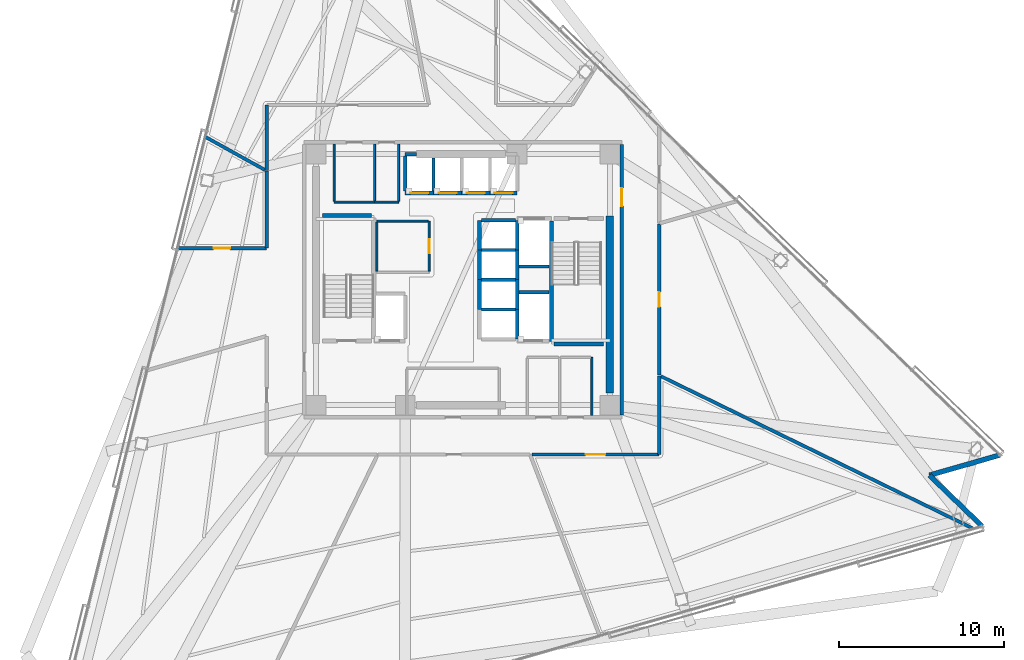
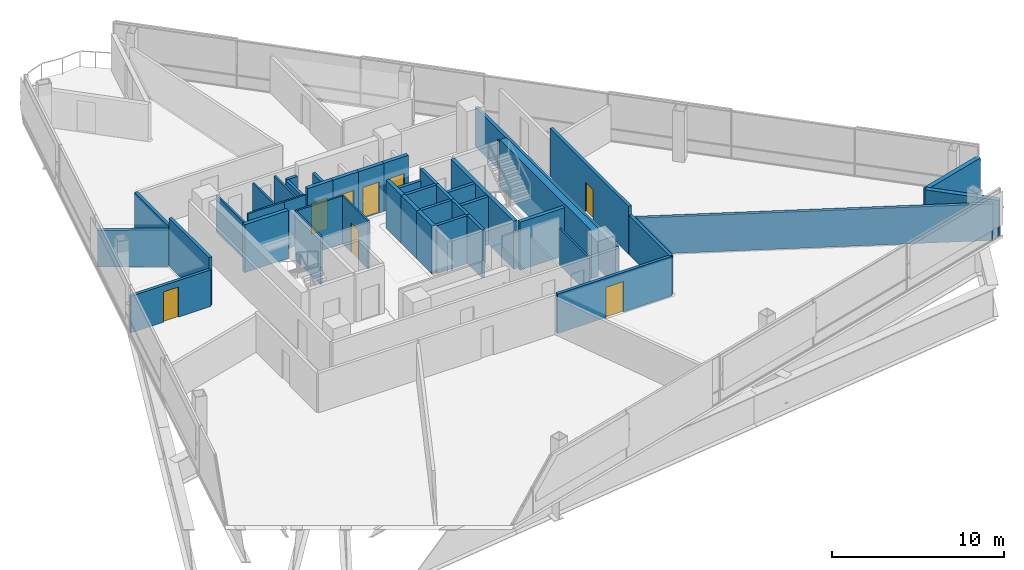
# One storey, part 12 of 21: 44 walls, 9 doors, 9 openings.
"""IFC4 building model written with IfcOpenShell, lengths in metres."""

from ifc_helpers import new_model, si_unit, direction, frame, frame_2d, origin, place, context, subcontext, project, spatial, rectangle, extrude, material, layer, layer_set, type_object, element, fill, save


model = new_model("IFC4")

# Units and contexts
model_context = context("Model", 3, precision=1e-05, world=origin(), true_north=direction((0.0, 1.0)))
body_context = subcontext(model_context, "Body", "Model", "MODEL_VIEW")
ifc_project = project(units=[si_unit("LENGTHUNIT", "METRE"), si_unit("AREAUNIT", "SQUARE_METRE"), si_unit("VOLUMEUNIT", "CUBIC_METRE"), si_unit("PLANEANGLEUNIT", "RADIAN"), si_unit("MASSUNIT", "GRAM", prefix="KILO")], contexts=[model_context])

# Site, building, storey
site_placement = place(None, origin())
site = spatial("IfcSite", under=ifc_project, at=site_placement, CompositionType="ELEMENT")
building_placement = place(site_placement, origin())
building = spatial("IfcBuilding", under=site, at=building_placement, Name="Tharavind Bronze Gate", CompositionType="ELEMENT")
storey_placement = place(building_placement, frame((0.0, 0.0, 86.10009765625)))
storey = spatial("IfcBuildingStorey", under=building, at=storey_placement, Name="L21", CompositionType="ELEMENT", Elevation=86.10009765625)

# Walls
ifc_material_1 = material(Name="Concrete C40/50", Category="concrete")
ifc_layer_1 = layer(ifc_material_1, 0.300048828125)
ifc_layer_set_1 = layer_set([ifc_layer_1], Name="Concrete C40/50")
wall_type_1 = type_object("IfcWallType", Name="EXTERIOR SPANDREL WALL 300", PredefinedType="STANDARD", material=ifc_layer_set_1)
wall_1_placement = place(storey_placement, frame((31.438720703125, -14.926513671875, 0.0), z_axis=(0.0, 0.0, 1.0), x_axis=(-0.719317126864, 0.694681848763, 0.0)))
element("IfcWall", 1, at=wall_1_placement, inside=storey, type_object=wall_type_1, Name="L21 notch cheek wall 3A", PredefinedType="STANDARD", context=body_context, shape_type="SweptSolid", body=[
    extrude(rectangle(XDim=4.439697265625, YDim=0.300048828125, at=frame_2d((2.2197265625, 0.0))), origin(), (0.0, 0.0, 1.0), 2.60498046875),
])
wall_2_placement = place(storey_placement, frame((28.2451171875, -11.84228515625, 0.0), z_axis=(0.0, 0.0, 1.0), x_axis=(0.961255810825, 0.275657878821, 0.0)))
element("IfcWall", 2, at=wall_2_placement, inside=storey, type_object=wall_type_1, Name="L21 notch cheek wall 3B", PredefinedType="STANDARD", context=body_context, shape_type="SweptSolid", body=[
    extrude(rectangle(XDim=4.43994140625, YDim=0.300048828125, at=frame_2d((2.219970703125, 0.0))), origin(), (0.0, 0.0, 1.0), 2.60498046875),
])

# Wall, opening, door
ifc_material_2 = material(Name="Aerated Concrete Block", Category="concrete")
ifc_layer_2 = layer(ifc_material_2, 0.199951171875)
ifc_layer_set_2 = layer_set([ifc_layer_2], Name="Aerated Concrete Block")
wall_type_2 = type_object("IfcWallType", Name="FIRE RATED PARTITION 200", PredefinedType="PARTITIONING", material=ifc_layer_set_2)
wall_3_placement = place(storey_placement, frame((9.6201171875, -8.199951171875, 0.0), z_axis=(0.0, 0.0, 1.0), x_axis=(0.0, 1.0, 0.0)))
wall_3 = element("IfcWall", 3, at=wall_3_placement, inside=storey, type_object=wall_type_2, Name="L21 east core corridor wall", PredefinedType="PARTITIONING", context=body_context, shape_type="SweptSolid", body=[
    extrude(rectangle(XDim=16.39990234375, YDim=0.199951171875, at=frame_2d((8.199951171875, 0.0))), origin(), (0.0, 0.0, 1.0), 2.804931640625),
])
opening_1_placement = place(wall_3_placement, frame((12.64990234375, 0.0, 0.0)))
opening_1 = element("IfcOpeningElement", 4, at=opening_1_placement, cuts=wall_3, Name="Opening ID01", PredefinedType="OPENING", context=body_context, shape_type="SweptSolid", body=[
    extrude(rectangle(XDim=1.10009765625, YDim=2.14990234375, at=frame_2d((0.550048828125, 1.074951171875))), frame((0.0, 0.11009765625, 0.0), z_axis=(0.0, -1.0, 0.0), x_axis=(1.0, 0.0, 0.0)), (0.0, 0.0, 1.0), 0.219951171875),
])
ifc_material_3 = material(Name="Fire-Rated Steel", Category="steel")
door_type_1 = type_object("IfcDoorType", Name="STAIR CORE FIRE DOOR 1100X2150", OperationType="SINGLE_SWING_LEFT", PredefinedType="DOOR", material=ifc_material_3)
door_1_placement = place(opening_1_placement, frame((1.10009765625, 0.0, 0.0), z_axis=(0.0, 0.0, 1.0), x_axis=(-1.0, 0.0, 0.0)))
door_1 = element("IfcDoor", 5, at=door_1_placement, inside=storey, type_object=door_type_1, Name="L21 north east stair lobby fire door", OperationType="SINGLE_SWING_LEFT", OverallHeight=2.14990234375, OverallWidth=1.10009765625, PredefinedType="DOOR", context=body_context, shape_type="SweptSolid", body=[
    extrude(rectangle(XDim=1.10009765625, YDim=2.14990234375, at=frame_2d((0.550048828125, 1.074951171875))), frame((0.0, 0.02490234375, 0.0), z_axis=(0.0, -1.0, 0.0), x_axis=(1.0, 0.0, 0.0)), (0.0, 0.0, 1.0), 0.050048828125),
])
fill(opening_1, door_1)

# Walls
wall_4_placement = place(storey_placement, frame((-11.8798828125, 10.579345703125, 0.0), z_axis=(0.0, 0.0, 1.0), x_axis=(0.0, -1.0, 0.0)))
element("IfcWall", 6, at=wall_4_placement, inside=storey, type_object=wall_type_2, Name="L21 Boardroom partition", PredefinedType="PARTITIONING", context=body_context, shape_type="SweptSolid", body=[
    extrude(rectangle(XDim=3.95166015625, YDim=0.199951171875, at=frame_2d((1.975830078125, 0.0))), origin(), (0.0, 0.0, 1.0), 2.804931640625),
])
wall_5_placement = place(storey_placement, frame((-11.985107421875, 6.643310546875, 0.0), z_axis=(0.0, 0.0, 1.0), x_axis=(-0.874606418312, 0.484833593151, 0.0)))
element("IfcWall", 7, at=wall_5_placement, inside=storey, type_object=wall_type_2, Name="L21 Boardroom partition", PredefinedType="PARTITIONING", context=body_context, shape_type="SweptSolid", body=[
    extrude(rectangle(XDim=4.12451171875, YDim=0.199951171875, at=frame_2d((2.062255859375, 0.0))), origin(), (0.0, 0.0, 1.0), 2.60498046875),
])
wall_6_placement = place(storey_placement, frame((-11.8798828125, 6.570556640625, 0.0), z_axis=(0.0, 0.0, 1.0), x_axis=(0.0, -1.0, 0.0)))
element("IfcWall", 8, at=wall_6_placement, inside=storey, type_object=wall_type_2, Name="L21 Open Office Workplace West partition", PredefinedType="PARTITIONING", context=body_context, shape_type="SweptSolid", body=[
    extrude(rectangle(XDim=4.6455078125, YDim=0.199951171875, at=frame_2d((2.32275390625, 0.0))), origin(), (0.0, 0.0, 1.0), 3.409912109375),
])

# Wall, opening, door
wall_7_placement = place(storey_placement, frame((-11.905029296875, 1.89990234375, 0.0), z_axis=(0.0, 0.0, 1.0), x_axis=(-1.0, 0.0, 0.0)))
wall_7 = element("IfcWall", 9, at=wall_7_placement, inside=storey, type_object=wall_type_2, Name="L21 Open Office Workplace West partition", PredefinedType="PARTITIONING", context=body_context, shape_type="SweptSolid", body=[
    extrude(rectangle(XDim=5.3876953125, YDim=0.199951171875, at=frame_2d((2.69384765625, 0.0))), origin(), (0.0, 0.0, 1.0), 2.60498046875),
])
opening_2_placement = place(wall_7_placement, frame((2.194091796875, 0.0, 0.0)))
opening_2 = element("IfcOpeningElement", 10, at=opening_2_placement, cuts=wall_7, Name="Opening ID04", PredefinedType="OPENING", context=body_context, shape_type="SweptSolid", body=[
    extrude(rectangle(XDim=1.0, YDim=2.14990234375, at=frame_2d((0.5, 1.074951171875))), frame((0.0, 0.11009765625, 0.0), z_axis=(0.0, -1.0, 0.0), x_axis=(1.0, 0.0, 0.0)), (0.0, 0.0, 1.0), 0.219951171875),
])
ifc_material_4 = material(Name="Bronze Framed Acoustic Timber", Category="wood")
door_type_2 = type_object("IfcDoorType", Name="OFFICE TENANCY DOOR 1000X2150", OperationType="SINGLE_SWING_RIGHT", PredefinedType="DOOR", material=ifc_material_4)
door_2_placement = place(opening_2_placement, origin())
door_2 = element("IfcDoor", 11, at=door_2_placement, inside=storey, type_object=door_type_2, Name="L21 Open Office Workplace West door", OperationType="SINGLE_SWING_RIGHT", OverallHeight=2.14990234375, OverallWidth=1.0, PredefinedType="DOOR", context=body_context, shape_type="SweptSolid", body=[
    extrude(rectangle(XDim=1.0, YDim=2.14990234375, at=frame_2d((0.5, 1.074951171875))), frame((0.0, 0.02490234375, 0.0), z_axis=(0.0, -1.0, 0.0), x_axis=(1.0, 0.0, 0.0)), (0.0, 0.0, 1.0), 0.050048828125),
])
fill(opening_2, door_2)

wall_8_placement = place(storey_placement, frame((4.173583984375, -10.580078125, 0.0), z_axis=(0.0, 0.0, 1.0), x_axis=(1.0, 0.0, 0.0)))
wall_8 = element("IfcWall", 12, at=wall_8_placement, inside=storey, type_object=wall_type_2, Name="L21 Client Briefing Room partition", PredefinedType="PARTITIONING", context=body_context, shape_type="SweptSolid", body=[
    extrude(rectangle(XDim=7.705810546875, YDim=0.199951171875, at=frame_2d((3.85302734375, 0.0))), origin(), (0.0, 0.0, 1.0), 2.804931640625),
])
opening_3_placement = place(wall_8_placement, frame((3.2529296875, 0.0, 0.0)))
opening_3 = element("IfcOpeningElement", 13, at=opening_3_placement, cuts=wall_8, Name="Opening ID05", PredefinedType="OPENING", context=body_context, shape_type="SweptSolid", body=[
    extrude(rectangle(XDim=1.199951171875, YDim=2.14990234375, at=frame_2d((0.60009765625, 1.074951171875))), frame((0.0, 0.11009765625, 0.0), z_axis=(0.0, -1.0, 0.0), x_axis=(1.0, 0.0, 0.0)), (0.0, 0.0, 1.0), 0.219951171875),
])
ifc_material_5 = material(Name="Acoustic Laminated Glass", Category="glass")
door_type_3 = type_object("IfcDoorType", Name="MEETING ROOM GLAZED DOOR 1200X2150", OperationType="SINGLE_SWING_LEFT", PredefinedType="DOOR", material=ifc_material_5)
door_3_placement = place(opening_3_placement, origin())
door_3 = element("IfcDoor", 14, at=door_3_placement, inside=storey, type_object=door_type_3, Name="L21 Client Briefing Room door", OperationType="SINGLE_SWING_LEFT", OverallHeight=2.14990234375, OverallWidth=1.199951171875, PredefinedType="DOOR", context=body_context, shape_type="SweptSolid", body=[
    extrude(rectangle(XDim=1.199951171875, YDim=2.14990234375, at=frame_2d((0.60009765625, 1.074951171875))), frame((0.0, 0.02490234375, 0.0), z_axis=(0.0, -1.0, 0.0), x_axis=(1.0, 0.0, 0.0)), (0.0, 0.0, 1.0), 0.050048828125),
])
fill(opening_3, door_3)

# Walls
wall_9_placement = place(storey_placement, frame((11.8798828125, -10.579345703125, 0.0), z_axis=(0.0, 0.0, 1.0), x_axis=(0.0, 1.0, 0.0)))
element("IfcWall", 15, at=wall_9_placement, inside=storey, type_object=wall_type_2, Name="L21 Client Briefing Room partition", PredefinedType="PARTITIONING", context=body_context, shape_type="SweptSolid", body=[
    extrude(rectangle(XDim=4.7451171875, YDim=0.199951171875, at=frame_2d((2.37255859375, 0.0))), origin(), (0.0, 0.0, 1.0), 2.804931640625),
])
wall_10_placement = place(storey_placement, frame((11.985107421875, -5.845458984375, 0.0), z_axis=(0.0, 0.0, 1.0), x_axis=(0.898791396377, -0.438376579894, 0.0)))
element("IfcWall", 16, at=wall_10_placement, inside=storey, type_object=wall_type_2, Name="L21 Client Briefing Room partition", PredefinedType="PARTITIONING", context=body_context, shape_type="SweptSolid", body=[
    extrude(rectangle(XDim=21.059326171875, YDim=0.199951171875, at=frame_2d((10.52978515625, 0.0))), origin(), (0.0, 0.0, 1.0), 2.60498046875),
])

# Wall, opening, door
wall_11_placement = place(storey_placement, frame((11.8798828125, -5.778564453125, 0.0), z_axis=(0.0, 0.0, 1.0), x_axis=(0.0, 1.0, 0.0)))
wall_11 = element("IfcWall", 17, at=wall_11_placement, inside=storey, type_object=wall_type_2, Name="L21 Tea Pantry partition", PredefinedType="PARTITIONING", context=body_context, shape_type="SweptSolid", body=[
    extrude(rectangle(XDim=9.166259765625, YDim=0.199951171875, at=frame_2d((4.5830078125, 0.0))), origin(), (0.0, 0.0, 1.0), 3.409912109375),
])
opening_4_placement = place(wall_11_placement, frame((4.133056640625, 0.0, 0.0)))
opening_4 = element("IfcOpeningElement", 18, at=opening_4_placement, cuts=wall_11, Name="Opening ID07", PredefinedType="OPENING", context=body_context, shape_type="SweptSolid", body=[
    extrude(rectangle(XDim=0.89990234375, YDim=2.10009765625, at=frame_2d((0.449951171875, 1.050048828125))), frame((0.0, 0.11009765625, 0.0), z_axis=(0.0, -1.0, 0.0), x_axis=(1.0, 0.0, 0.0)), (0.0, 0.0, 1.0), 0.219951171875),
])
ifc_material_6 = material(Name="Galvanised Fire Steel", Category="steel")
door_type_4 = type_object("IfcDoorType", Name="PLANT AND RISER FIRE DOOR 900X2100", OperationType="SINGLE_SWING_LEFT", PredefinedType="DOOR", material=ifc_material_6)
door_4_placement = place(opening_4_placement, origin())
door_4 = element("IfcDoor", 19, at=door_4_placement, inside=storey, type_object=door_type_4, Name="L21 Tea Pantry door", OperationType="SINGLE_SWING_LEFT", OverallHeight=2.10009765625, OverallWidth=0.89990234375, PredefinedType="DOOR", context=body_context, shape_type="SweptSolid", body=[
    extrude(rectangle(XDim=0.89990234375, YDim=2.10009765625, at=frame_2d((0.449951171875, 1.050048828125))), frame((0.0, 0.02490234375, 0.0), z_axis=(0.0, -1.0, 0.0), x_axis=(1.0, 0.0, 0.0)), (0.0, 0.0, 1.0), 0.050048828125),
])
fill(opening_4, door_4)

ifc_material_7 = material(Name="Metal Stud Gypsum Partition", Category="gypsum")
ifc_layer_3 = layer(ifc_material_7, 0.1201171875)
ifc_layer_set_3 = layer_set([ifc_layer_3], Name="Metal Stud Gypsum Partition")
wall_type_3 = type_object("IfcWallType", Name="INTERIOR PARTITION WALL 120", PredefinedType="PARTITIONING", material=ifc_layer_set_3)
wall_12_placement = place(storey_placement, frame((-2.050048828125, 0.514892578125, 0.0), z_axis=(0.0, 0.0, 1.0), x_axis=(0.0, 1.0, 0.0)))
wall_12 = element("IfcWall", 20, at=wall_12_placement, inside=storey, type_object=wall_type_3, Name="L21 Electrical & Telecom Store partition 2", PredefinedType="PARTITIONING", context=body_context, shape_type="SweptSolid", body=[
    extrude(rectangle(XDim=3.03515625, YDim=0.1201171875, at=frame_2d((1.517578125, 0.0))), origin(), (0.0, 0.0, 1.0), 3.409912109375),
])
opening_5_placement = place(wall_12_placement, frame((1.092041015625, 0.0, 0.0)))
opening_5 = element("IfcOpeningElement", 21, at=opening_5_placement, cuts=wall_12, Name="Opening ID06", PredefinedType="OPENING", context=body_context, shape_type="SweptSolid", body=[
    extrude(rectangle(XDim=0.85009765625, YDim=2.10009765625, at=frame_2d((0.425048828125, 1.050048828125))), frame((0.0, 0.07005859375, 0.0), z_axis=(0.0, -1.0, 0.0), x_axis=(1.0, 0.0, 0.0)), (0.0, 0.0, 1.0), 0.1401171875),
])
ifc_material_8 = material(Name="Moisture-Resistant Timber", Category="wood")
door_type_5 = type_object("IfcDoorType", Name="BATHROOM PRIVACY DOOR 850X2100", OperationType="SINGLE_SWING_RIGHT", PredefinedType="DOOR", material=ifc_material_8)
door_5_placement = place(opening_5_placement, frame((0.85009765625, 0.0, 0.0), z_axis=(0.0, 0.0, 1.0), x_axis=(-1.0, 0.0, 0.0)))
door_5 = element("IfcDoor", 22, at=door_5_placement, inside=storey, type_object=door_type_5, Name="L21 Electrical & Telecom Store door", OperationType="SINGLE_SWING_RIGHT", OverallHeight=2.10009765625, OverallWidth=0.85009765625, PredefinedType="DOOR", context=body_context, shape_type="SweptSolid", body=[
    extrude(rectangle(XDim=0.85009765625, YDim=2.10009765625, at=frame_2d((0.425048828125, 1.050048828125))), frame((0.0, 0.02490234375, 0.0), z_axis=(0.0, -1.0, 0.0), x_axis=(1.0, 0.0, 0.0)), (0.0, 0.0, 1.0), 0.050048828125),
])
fill(opening_5, door_5)

# Walls
wall_13_placement = place(storey_placement, frame((-2.114990234375, 3.550048828125, 0.0), z_axis=(0.0, 0.0, 1.0), x_axis=(-1.0, 0.0, 0.0)))
element("IfcWall", 23, at=wall_13_placement, inside=storey, type_object=wall_type_3, Name="L21 Electrical & Telecom Store partition 3", PredefinedType="PARTITIONING", context=body_context, shape_type="SweptSolid", body=[
    extrude(rectangle(XDim=3.10498046875, YDim=0.1201171875, at=frame_2d((1.552490234375, 0.0))), origin(), (0.0, 0.0, 1.0), 3.409912109375),
])
wall_14_placement = place(storey_placement, frame((-5.219970703125, 3.485107421875, 0.0), z_axis=(0.0, 0.0, 1.0), x_axis=(0.0, -1.0, 0.0)))
element("IfcWall", 24, at=wall_14_placement, inside=storey, type_object=wall_type_3, Name="L21 Electrical & Telecom Store partition 4", PredefinedType="PARTITIONING", context=body_context, shape_type="SweptSolid", body=[
    extrude(rectangle(XDim=2.97021484375, YDim=0.1201171875, at=frame_2d((1.485107421875, 0.0))), origin(), (0.0, 0.0, 1.0), 3.409912109375),
])
wall_15_placement = place(storey_placement, frame((-7.800048828125, 4.699951171875, 0.0), z_axis=(0.0, 0.0, 1.0), x_axis=(1.0, 0.0, 0.0)))
element("IfcWall", 25, at=wall_15_placement, inside=storey, type_object=wall_type_3, Name="L21 Electrical Metering Room partition 1", PredefinedType="PARTITIONING", context=body_context, shape_type="SweptSolid", body=[
    extrude(rectangle(XDim=2.449951171875, YDim=0.1201171875, at=frame_2d((1.22509765625, 0.0))), origin(), (0.0, 0.0, 1.0), 3.409912109375),
])
for number, where, z_axis, x_axis, name in (
    (26, (-5.35009765625, 4.764892578125, 0.0), (0.0, 0.0, 1.0), (0.0, 1.0, 0.0), "L21 Electrical Metering Room partition 2"),
    (27, (-7.800048828125, 8.215087890625, 0.0), (0.0, 0.0, 1.0), (0.0, -1.0, 0.0), "L21 Electrical Metering Room partition 4"),
):
    element("IfcWall", number, at=place(storey_placement, frame(where, z_axis=z_axis, x_axis=x_axis)), inside=storey, type_object=wall_type_3, Name=name, PredefinedType="PARTITIONING", context=body_context, shape_type="SweptSolid", body=[
        extrude(rectangle(XDim=3.4501953125, YDim=0.1201171875, at=frame_2d((1.72509765625, 0.0))), origin(), (0.0, 0.0, 1.0), 2.60498046875),
    ])
wall_16_placement = place(storey_placement, frame((-5.35009765625, 4.699951171875, 0.0), z_axis=(0.0, 0.0, 1.0), x_axis=(1.0, 0.0, 0.0)))
element("IfcWall", 28, at=wall_16_placement, inside=storey, type_object=wall_type_3, Name="L21 Linen Cupboard partition 1", PredefinedType="PARTITIONING", context=body_context, shape_type="SweptSolid", body=[
    extrude(rectangle(XDim=1.4501953125, YDim=0.1201171875, at=frame_2d((0.72509765625, 0.0))), origin(), (0.0, 0.0, 1.0), 3.409912109375),
])
wall_17_placement = place(storey_placement, frame((-3.89990234375, 4.764892578125, 0.0), z_axis=(0.0, 0.0, 1.0), x_axis=(0.0, 1.0, 0.0)))
element("IfcWall", 29, at=wall_17_placement, inside=storey, type_object=wall_type_3, Name="L21 Linen Cupboard partition 2", PredefinedType="PARTITIONING", context=body_context, shape_type="SweptSolid", body=[
    extrude(rectangle(XDim=3.4501953125, YDim=0.1201171875, at=frame_2d((1.72509765625, 0.0))), origin(), (0.0, 0.0, 1.0), 2.60498046875),
])
wall_18_placement = place(storey_placement, frame((7.800048828125, -8.215087890625, 0.0), z_axis=(0.0, 0.0, 1.0), x_axis=(0.0, 1.0, 0.0)))
element("IfcWall", 30, at=wall_18_placement, inside=storey, type_object=wall_type_3, Name="L21 Housekeeping Store partition 2", PredefinedType="PARTITIONING", context=body_context, shape_type="SweptSolid", body=[
    extrude(rectangle(XDim=3.51513671875, YDim=0.1201171875, at=frame_2d((1.757568359375, 0.0))), origin(), (0.0, 0.0, 1.0), 2.60498046875),
])
ifc_material_9 = material(Name="Concrete C50/60", Category="concrete")
ifc_layer_4 = layer(ifc_material_9, 0.25)
ifc_layer_set_4 = layer_set([ifc_layer_4], Name="Concrete C50/60")
wall_type_4 = type_object("IfcWallType", Name="RC CORE SHEAR WALL 250", PredefinedType="SHEAR", material=ifc_layer_set_4)
wall_19_placement = place(storey_placement, frame((-8.5, 3.89990234375, 0.0), z_axis=(0.0, 0.0, 1.0), x_axis=(1.0, 0.0, 0.0)))
element("IfcWall", 31, at=wall_19_placement, inside=storey, type_object=wall_type_4, Name="L21 ST1 shaft north wall", PredefinedType="SHEAR", context=body_context, shape_type="SweptSolid", body=[
    extrude(rectangle(XDim=2.949951171875, YDim=0.25, at=frame_2d((1.47509765625, 0.0))), origin(), (0.0, 0.0, 1.0), 3.409912109375),
])
wall_20_placement = place(storey_placement, frame((5.35009765625, -3.75, 0.0), z_axis=(0.0, 0.0, 1.0), x_axis=(0.0, 1.0, 0.0)))
element("IfcWall", 32, at=wall_20_placement, inside=storey, type_object=wall_type_4, Name="L21 ST2 shaft west wall", PredefinedType="SHEAR", context=body_context, shape_type="SweptSolid", body=[
    extrude(rectangle(XDim=7.300048828125, YDim=0.25, at=frame_2d((3.64990234375, 0.0))), origin(), (0.0, 0.0, 1.0), 3.409912109375),
])
wall_21_placement = place(storey_placement, frame((5.5, -3.89990234375, 0.0), z_axis=(0.0, 0.0, 1.0), x_axis=(1.0, 0.0, 0.0)))
element("IfcWall", 33, at=wall_21_placement, inside=storey, type_object=wall_type_4, Name="L21 ST2 shaft south wall", PredefinedType="SHEAR", context=body_context, shape_type="SweptSolid", body=[
    extrude(rectangle(XDim=3.0, YDim=0.25, at=frame_2d((1.5, 0.0))), origin(), (0.0, 0.0, 1.0), 3.409912109375),
])

# Wall, opening, door
wall_22_placement = place(storey_placement, frame((-3.5, 5.25, 0.0), z_axis=(0.0, 0.0, 1.0), x_axis=(1.0, 0.0, 0.0)))
wall_22 = element("IfcWall", 34, at=wall_22_placement, inside=storey, type_object=wall_type_4, Name="L21 lift PL5 shaft front wall", PredefinedType="SHEAR", context=body_context, shape_type="SweptSolid", body=[
    extrude(rectangle(XDim=1.71240234375, YDim=0.25, at=frame_2d((0.856201171875, 0.0))), origin(), (0.0, 0.0, 1.0), 3.409912109375),
])
opening_6_placement = place(wall_22_placement, frame((0.305908203125, 0.0, 0.0)))
opening_6 = element("IfcOpeningElement", 35, at=opening_6_placement, cuts=wall_22, Name="Opening LD01", PredefinedType="OPENING", context=body_context, shape_type="SweptSolid", body=[
    extrude(rectangle(XDim=1.10009765625, YDim=2.199951171875, at=frame_2d((0.550048828125, 1.10009765625))), frame((0.0, 0.135, 0.0), z_axis=(0.0, -1.0, 0.0), x_axis=(1.0, 0.0, 0.0)), (0.0, 0.0, 1.0), 0.27),
])
ifc_material_10 = material(Name="Brushed Bronze Stainless Steel", Category="steel")
door_type_6 = type_object("IfcDoorType", Name="LIFT LANDING SLIDING DOOR 1100X2200", OperationType="SLIDING_TO_LEFT", PredefinedType="DOOR", material=ifc_material_10)
door_6_placement = place(opening_6_placement, origin())
door_6 = element("IfcDoor", 36, at=door_6_placement, inside=storey, type_object=door_type_6, Name="L21 lift PL5 sliding landing door", OperationType="SLIDING_TO_LEFT", OverallHeight=2.199951171875, OverallWidth=1.10009765625, PredefinedType="DOOR", context=body_context, shape_type="SweptSolid", body=[
    extrude(rectangle(XDim=1.10009765625, YDim=2.199951171875, at=frame_2d((0.550048828125, 1.10009765625))), frame((0.0, 0.02490234375, 0.0), z_axis=(0.0, -1.0, 0.0), x_axis=(1.0, 0.0, 0.0)), (0.0, 0.0, 1.0), 0.050048828125),
])
fill(opening_6, door_6)

wall_23_placement = place(storey_placement, frame((-1.78759765625, 5.25, 0.0), z_axis=(0.0, 0.0, 1.0), x_axis=(1.0, 0.0, 0.0)))
wall_23 = element("IfcWall", 37, at=wall_23_placement, inside=storey, type_object=wall_type_4, Name="L21 lift PL6 shaft front wall", PredefinedType="SHEAR", context=body_context, shape_type="SweptSolid", body=[
    extrude(rectangle(XDim=1.712646484375, YDim=0.25, at=frame_2d((0.8564453125, 0.0))), origin(), (0.0, 0.0, 1.0), 3.409912109375),
])
opening_7_placement = place(wall_23_placement, frame((0.305908203125, 0.0, 0.0)))
opening_7 = element("IfcOpeningElement", 38, at=opening_7_placement, cuts=wall_23, Name="Opening LD01", PredefinedType="OPENING", context=body_context, shape_type="SweptSolid", body=[
    extrude(rectangle(XDim=1.10009765625, YDim=2.199951171875, at=frame_2d((0.550048828125, 1.10009765625))), frame((0.0, 0.135, 0.0), z_axis=(0.0, -1.0, 0.0), x_axis=(1.0, 0.0, 0.0)), (0.0, 0.0, 1.0), 0.27),
])
door_7_placement = place(opening_7_placement, origin())
door_7 = element("IfcDoor", 39, at=door_7_placement, inside=storey, type_object=door_type_6, Name="L21 lift PL6 sliding landing door", OperationType="SLIDING_TO_LEFT", OverallHeight=2.199951171875, OverallWidth=1.10009765625, PredefinedType="DOOR", context=body_context, shape_type="SweptSolid", body=[
    extrude(rectangle(XDim=1.10009765625, YDim=2.199951171875, at=frame_2d((0.550048828125, 1.10009765625))), frame((0.0, 0.02490234375, 0.0), z_axis=(0.0, -1.0, 0.0), x_axis=(1.0, 0.0, 0.0)), (0.0, 0.0, 1.0), 0.050048828125),
])
fill(opening_7, door_7)

wall_24_placement = place(storey_placement, frame((-0.074951171875, 5.25, 0.0), z_axis=(0.0, 0.0, 1.0), x_axis=(1.0, 0.0, 0.0)))
wall_24 = element("IfcWall", 40, at=wall_24_placement, inside=storey, type_object=wall_type_4, Name="L21 lift PL7 shaft front wall", PredefinedType="SHEAR", context=body_context, shape_type="SweptSolid", body=[
    extrude(rectangle(XDim=1.71240234375, YDim=0.25, at=frame_2d((0.856201171875, 0.0))), origin(), (0.0, 0.0, 1.0), 3.409912109375),
])
opening_8_placement = place(wall_24_placement, frame((0.305908203125, 0.0, 0.0)))
opening_8 = element("IfcOpeningElement", 41, at=opening_8_placement, cuts=wall_24, Name="Opening LD01", PredefinedType="OPENING", context=body_context, shape_type="SweptSolid", body=[
    extrude(rectangle(XDim=1.10009765625, YDim=2.199951171875, at=frame_2d((0.550048828125, 1.10009765625))), frame((0.0, 0.135, 0.0), z_axis=(0.0, -1.0, 0.0), x_axis=(1.0, 0.0, 0.0)), (0.0, 0.0, 1.0), 0.27),
])
door_8_placement = place(opening_8_placement, origin())
door_8 = element("IfcDoor", 42, at=door_8_placement, inside=storey, type_object=door_type_6, Name="L21 lift PL7 sliding landing door", OperationType="SLIDING_TO_LEFT", OverallHeight=2.199951171875, OverallWidth=1.10009765625, PredefinedType="DOOR", context=body_context, shape_type="SweptSolid", body=[
    extrude(rectangle(XDim=1.10009765625, YDim=2.199951171875, at=frame_2d((0.550048828125, 1.10009765625))), frame((0.0, 0.02490234375, 0.0), z_axis=(0.0, -1.0, 0.0), x_axis=(1.0, 0.0, 0.0)), (0.0, 0.0, 1.0), 0.050048828125),
])
fill(opening_8, door_8)

wall_25_placement = place(storey_placement, frame((1.637451171875, 5.25, 0.0), z_axis=(0.0, 0.0, 1.0), x_axis=(1.0, 0.0, 0.0)))
wall_25 = element("IfcWall", 43, at=wall_25_placement, inside=storey, type_object=wall_type_4, Name="L21 lift PL8 shaft front wall", PredefinedType="SHEAR", context=body_context, shape_type="SweptSolid", body=[
    extrude(rectangle(XDim=1.642578125, YDim=0.25, at=frame_2d((0.8212890625, 0.0))), origin(), (0.0, 0.0, 1.0), 3.409912109375),
])
opening_9_placement = place(wall_25_placement, frame((0.27099609375, 0.0, 0.0)))
opening_9 = element("IfcOpeningElement", 44, at=opening_9_placement, cuts=wall_25, Name="Opening LD01", PredefinedType="OPENING", context=body_context, shape_type="SweptSolid", body=[
    extrude(rectangle(XDim=1.10009765625, YDim=2.199951171875, at=frame_2d((0.550048828125, 1.10009765625))), frame((0.0, 0.135, 0.0), z_axis=(0.0, -1.0, 0.0), x_axis=(1.0, 0.0, 0.0)), (0.0, 0.0, 1.0), 0.27),
])
door_9_placement = place(opening_9_placement, origin())
door_9 = element("IfcDoor", 45, at=door_9_placement, inside=storey, type_object=door_type_6, Name="L21 lift PL8 sliding landing door", OperationType="SLIDING_TO_LEFT", OverallHeight=2.199951171875, OverallWidth=1.10009765625, PredefinedType="DOOR", context=body_context, shape_type="SweptSolid", body=[
    extrude(rectangle(XDim=1.10009765625, YDim=2.199951171875, at=frame_2d((0.550048828125, 1.10009765625))), frame((0.0, 0.02490234375, 0.0), z_axis=(0.0, -1.0, 0.0), x_axis=(1.0, 0.0, 0.0)), (0.0, 0.0, 1.0), 0.050048828125),
])
fill(opening_9, door_9)

# Walls
for number, where, z_axis, x_axis, name in (
    (46, (1.0, -1.800048828125, 0.0), (0.0, 0.0, 1.0), (0.0, 1.0, 0.0), "L21 lift PL10 shaft front wall"),
    (47, (1.0, 0.0, 0.0), (0.0, 0.0, 1.0), (0.0, 1.0, 0.0), "L21 lift PL11 shaft front wall"),
    (48, (1.0, 1.800048828125, 0.0), (0.0, 0.0, 1.0), (0.0, 1.0, 0.0), "L21 lift PL12 shaft front wall"),
):
    element("IfcWall", number, at=place(storey_placement, frame(where, z_axis=z_axis, x_axis=x_axis)), inside=storey, type_object=wall_type_4, Name=name, PredefinedType="SHEAR", context=body_context, shape_type="SweptSolid", body=[
        extrude(rectangle(XDim=1.800048828125, YDim=0.25, at=frame_2d((0.89990234375, 0.0))), origin(), (0.0, 0.0, 1.0), 3.409912109375),
    ])
ifc_material_11 = material(Name="Concrete C60/75", Category="concrete")
ifc_layer_5 = layer(ifc_material_11, 0.449951171875)
ifc_layer_set_5 = layer_set([ifc_layer_5], Name="Concrete C60/75")
wall_type_5 = type_object("IfcWallType", Name="RC CORE SHEAR WALL 450", PredefinedType="SHEAR", material=ifc_layer_set_5)
wall_26_placement = place(storey_placement, frame((8.89990234375, -6.85009765625, 0.0), z_axis=(0.0, 0.0, 1.0), x_axis=(0.0, 1.0, 0.0)))
element("IfcWall", 49, at=wall_26_placement, inside=storey, type_object=wall_type_5, Name="L21 east core shear wall", PredefinedType="SHEAR", context=body_context, shape_type="SweptSolid", body=[
    extrude(rectangle(XDim=10.7001953125, YDim=0.449951171875, at=frame_2d((5.35009765625, 0.0))), origin(), (0.0, 0.0, 1.0), 3.409912109375),
])
ifc_layer_6 = layer(ifc_material_1, 0.199951171875)
ifc_layer_set_6 = layer_set([ifc_layer_6], Name="Concrete C40/50")
wall_type_6 = type_object("IfcWallType", Name="SHAFT ENCLOSURE WALL 200", PredefinedType="PARTITIONING", material=ifc_layer_set_6)
wall_27_placement = place(storey_placement, frame((-3.5, 7.60009765625, 0.0), z_axis=(0.0, 0.0, 1.0), x_axis=(1.0, 0.0, 0.0)))
element("IfcWall", 50, at=wall_27_placement, inside=storey, type_object=wall_type_6, Name="L21 lift PL5 shaft N enclosure wall", PredefinedType="PARTITIONING", context=body_context, shape_type="SweptSolid", body=[
    extrude(rectangle(XDim=0.699951171875, YDim=0.199951171875, at=frame_2d((0.35009765625, 0.0))), origin(), (0.0, 0.0, 1.0), 2.60498046875),
])
wall_28_placement = place(storey_placement, frame((-3.5, 5.3798828125, 0.0), z_axis=(0.0, 0.0, 1.0), x_axis=(0.0, 1.0, 0.0)))
element("IfcWall", 51, at=wall_28_placement, inside=storey, type_object=wall_type_6, Name="L21 lift PL5 shaft W enclosure wall", PredefinedType="PARTITIONING", context=body_context, shape_type="SweptSolid", body=[
    extrude(rectangle(XDim=2.115234375, YDim=0.199951171875, at=frame_2d((1.0576171875, 0.0))), origin(), (0.0, 0.0, 1.0), 2.60498046875),
])
wall_29_placement = place(storey_placement, frame((-1.78759765625, 5.3798828125, 0.0), z_axis=(0.0, 0.0, 1.0), x_axis=(0.0, 1.0, 0.0)))
element("IfcWall", 52, at=wall_29_placement, inside=storey, type_object=wall_type_6, Name="L21 lift PL5 shaft E enclosure wall", PredefinedType="PARTITIONING", context=body_context, shape_type="SweptSolid", body=[
    extrude(rectangle(XDim=1.990234375, YDim=0.199951171875, at=frame_2d((0.9951171875, 0.0))), origin(), (0.0, 0.0, 1.0), 2.60498046875),
])
wall_30_placement = place(storey_placement, frame((3.280029296875, -3.60009765625, 0.0), z_axis=(0.0, 0.0, 1.0), x_axis=(0.0, 1.0, 0.0)))
element("IfcWall", 53, at=wall_30_placement, inside=storey, type_object=wall_type_6, Name="L21 lift PL9 shaft E enclosure wall", PredefinedType="PARTITIONING", context=body_context, shape_type="SweptSolid", body=[
    extrude(rectangle(XDim=1.800048828125, YDim=0.199951171875, at=frame_2d((0.89990234375, 0.0))), origin(), (0.0, 0.0, 1.0), 3.409912109375),
])
wall_31_placement = place(storey_placement, frame((1.1298828125, -1.800048828125, 0.0), z_axis=(0.0, 0.0, 1.0), x_axis=(1.0, 0.0, 0.0)))
element("IfcWall", 54, at=wall_31_placement, inside=storey, type_object=wall_type_6, Name="L21 lift PL9 shaft N enclosure wall", PredefinedType="PARTITIONING", context=body_context, shape_type="SweptSolid", body=[
    extrude(rectangle(XDim=2.045166015625, YDim=0.199951171875, at=frame_2d((1.0224609375, 0.0))), origin(), (0.0, 0.0, 1.0), 3.409912109375),
])
wall_32_placement = place(storey_placement, frame((3.280029296875, -1.800048828125, 0.0), z_axis=(0.0, 0.0, 1.0), x_axis=(0.0, 1.0, 0.0)))
element("IfcWall", 55, at=wall_32_placement, inside=storey, type_object=wall_type_6, Name="L21 lift PL10 shaft E enclosure wall", PredefinedType="PARTITIONING", context=body_context, shape_type="SweptSolid", body=[
    extrude(rectangle(XDim=1.800048828125, YDim=0.199951171875, at=frame_2d((0.89990234375, 0.0))), origin(), (0.0, 0.0, 1.0), 3.409912109375),
])
wall_33_placement = place(storey_placement, frame((1.1298828125, 0.0, 0.0), z_axis=(0.0, 0.0, 1.0), x_axis=(1.0, 0.0, 0.0)))
element("IfcWall", 56, at=wall_33_placement, inside=storey, type_object=wall_type_6, Name="L21 lift PL10 shaft N enclosure wall", PredefinedType="PARTITIONING", context=body_context, shape_type="SweptSolid", body=[
    extrude(rectangle(XDim=2.045166015625, YDim=0.199951171875, at=frame_2d((1.0224609375, 0.0))), origin(), (0.0, 0.0, 1.0), 3.409912109375),
])
wall_34_placement = place(storey_placement, frame((3.280029296875, 0.0, 0.0), z_axis=(0.0, 0.0, 1.0), x_axis=(0.0, 1.0, 0.0)))
element("IfcWall", 57, at=wall_34_placement, inside=storey, type_object=wall_type_6, Name="L21 lift PL11 shaft E enclosure wall", PredefinedType="PARTITIONING", context=body_context, shape_type="SweptSolid", body=[
    extrude(rectangle(XDim=1.800048828125, YDim=0.199951171875, at=frame_2d((0.89990234375, 0.0))), origin(), (0.0, 0.0, 1.0), 3.409912109375),
])
wall_35_placement = place(storey_placement, frame((1.1298828125, 1.800048828125, 0.0), z_axis=(0.0, 0.0, 1.0), x_axis=(1.0, 0.0, 0.0)))
element("IfcWall", 58, at=wall_35_placement, inside=storey, type_object=wall_type_6, Name="L21 lift PL11 shaft N enclosure wall", PredefinedType="PARTITIONING", context=body_context, shape_type="SweptSolid", body=[
    extrude(rectangle(XDim=2.045166015625, YDim=0.199951171875, at=frame_2d((1.0224609375, 0.0))), origin(), (0.0, 0.0, 1.0), 3.409912109375),
])
wall_36_placement = place(storey_placement, frame((3.280029296875, 1.800048828125, 0.0), z_axis=(0.0, 0.0, 1.0), x_axis=(0.0, 1.0, 0.0)))
element("IfcWall", 59, at=wall_36_placement, inside=storey, type_object=wall_type_6, Name="L21 lift PL12 shaft E enclosure wall", PredefinedType="PARTITIONING", context=body_context, shape_type="SweptSolid", body=[
    extrude(rectangle(XDim=1.800048828125, YDim=0.199951171875, at=frame_2d((0.89990234375, 0.0))), origin(), (0.0, 0.0, 1.0), 3.409912109375),
])
wall_37_placement = place(storey_placement, frame((1.1298828125, 3.60009765625, 0.0), z_axis=(0.0, 0.0, 1.0), x_axis=(1.0, 0.0, 0.0)))
element("IfcWall", 60, at=wall_37_placement, inside=storey, type_object=wall_type_6, Name="L21 lift PL12 shaft N enclosure wall", PredefinedType="PARTITIONING", context=body_context, shape_type="SweptSolid", body=[
    extrude(rectangle(XDim=2.045166015625, YDim=0.199951171875, at=frame_2d((1.0224609375, 0.0))), origin(), (0.0, 0.0, 1.0), 2.60498046875),
])
for number, where, z_axis, x_axis, name in (
    (61, (3.385009765625, 0.800048828125, 0.0), (0.0, 0.0, 1.0), (1.0, 0.0, 0.0), "L21 lift FFL2 shaft S enclosure wall"),
    (62, (3.385009765625, -0.75, 0.0), (0.0, 0.0, 1.0), (1.0, 0.0, 0.0), "L21 lift SVL1 shaft N enclosure wall"),
):
    element("IfcWall", number, at=place(storey_placement, frame(where, z_axis=z_axis, x_axis=x_axis)), inside=storey, type_object=wall_type_6, Name=name, PredefinedType="PARTITIONING", context=body_context, shape_type="SweptSolid", body=[
        extrude(rectangle(XDim=1.8349609375, YDim=0.199951171875, at=frame_2d((0.91748046875, 0.0))), origin(), (0.0, 0.0, 1.0), 3.409912109375),
    ])

save(model, "model.ifc")
